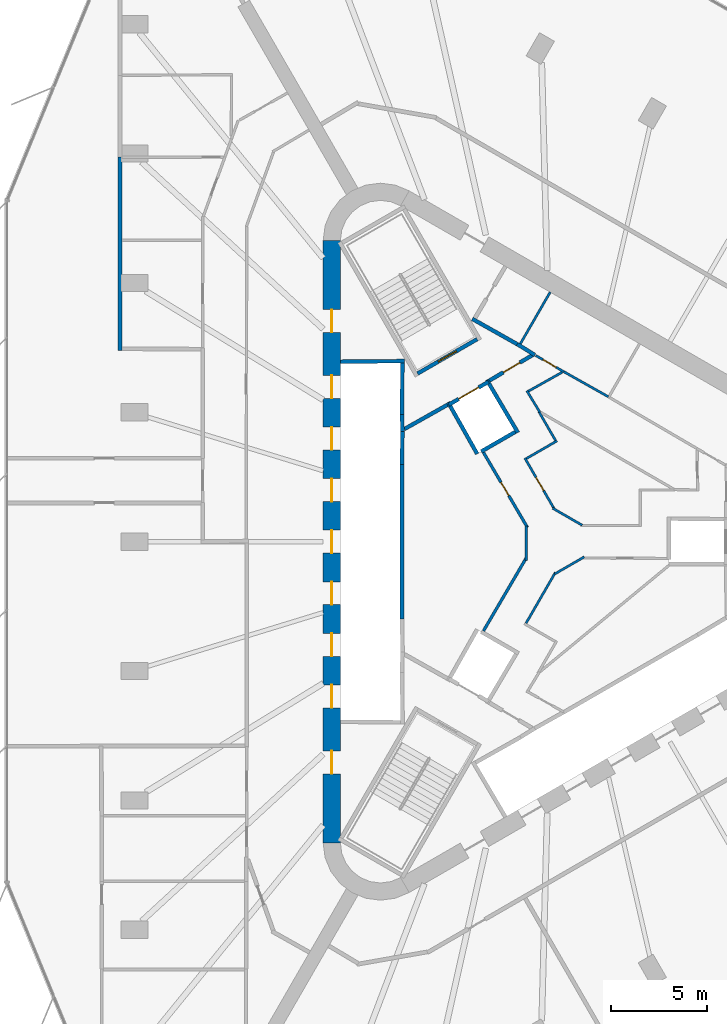
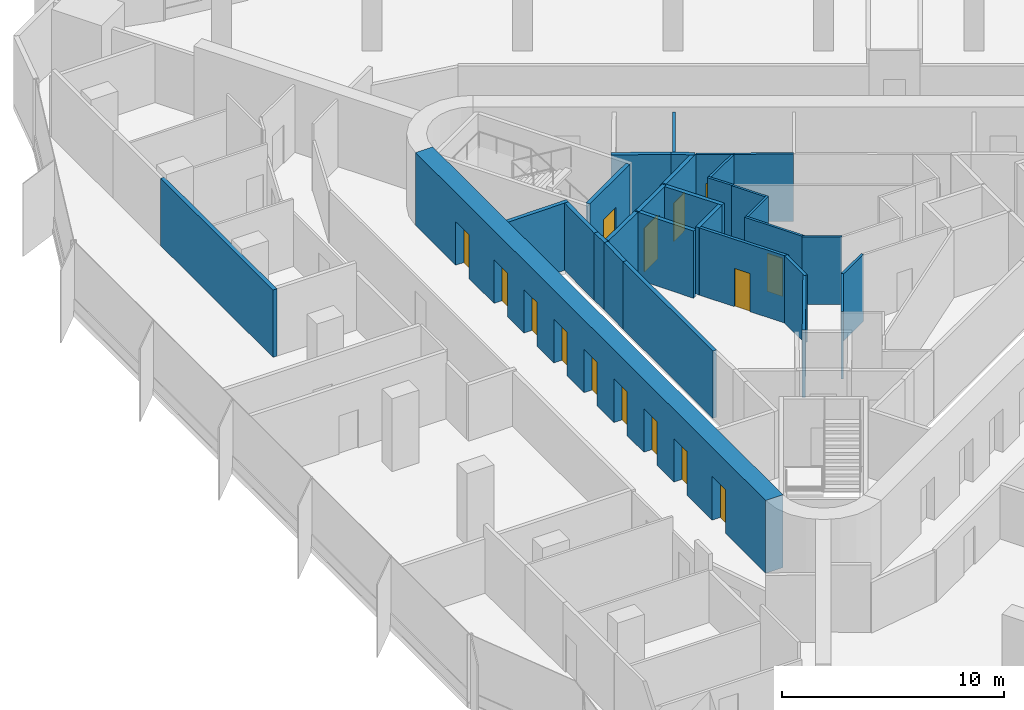
# One storey, part 10 of 14: 30 walls, 15 doors, 15 openings.
"""IFC4 building model written with IfcOpenShell, lengths in metres."""

from ifc_helpers import new_model, si_unit, direction, frame, frame_2d, origin, place, context, subcontext, project, spatial, rectangle, extrude, material, layer, layer_set, type_object, element, fill, save


model = new_model("IFC4")

# Units and contexts
model_context = context("Model", 3, precision=1e-05, world=origin(), true_north=direction((0.0, 1.0)))
body_context = subcontext(model_context, "Body", "Model", "MODEL_VIEW")
ifc_project = project(units=[si_unit("LENGTHUNIT", "METRE"), si_unit("AREAUNIT", "SQUARE_METRE"), si_unit("VOLUMEUNIT", "CUBIC_METRE"), si_unit("PLANEANGLEUNIT", "RADIAN"), si_unit("MASSUNIT", "GRAM", prefix="KILO")], contexts=[model_context])

# Site, building, storey
site_placement = place(None, origin())
site = spatial("IfcSite", under=ifc_project, at=site_placement, CompositionType="ELEMENT")
building_placement = place(site_placement, origin())
building = spatial("IfcBuilding", under=site, at=building_placement, Name="Tanit Gate Tower", CompositionType="ELEMENT")
storey_placement = place(building_placement, frame((0.0, 0.0, 229.199951171875)))
storey = spatial("IfcBuildingStorey", under=building, at=storey_placement, Name="L51", CompositionType="ELEMENT", Elevation=229.199951171875)

# Wall, openings, doors
ifc_material_1 = material(Name="Concrete C50/60", Category="concrete")
ifc_layer_1 = layer(ifc_material_1, 0.89990234375)
ifc_layer_set_1 = layer_set([ifc_layer_1], Name="CORE WALL 900 C50/60")
wall_type_1 = type_object("IfcWallType", Name="CORE WALL 900 C50/60", PredefinedType="SHEAR", material=ifc_layer_set_1)
wall_1_placement = place(storey_placement, frame((-11.64990234375, 15.76171875, 0.0), z_axis=(0.0, 0.0, 1.0), x_axis=(0.0, -1.0, 0.0)))
wall_1 = element("IfcWall", 1, at=wall_1_placement, inside=storey, type_object=wall_type_1, Name="CORE WALL", PredefinedType="SHEAR", context=body_context, shape_type="SweptSolid", body=[
    extrude(rectangle(XDim=31.5234375, YDim=0.89990234375, at=frame_2d((15.76171875, 0.0))), origin(), (0.0, 0.0, 1.0), 4.0),
])
opening_1_placement = place(wall_1_placement, frame((7.061767578125, 0.0, 0.0)))
opening_1 = element("IfcOpeningElement", 2, at=opening_1_placement, cuts=wall_1, Name="Opening LDML1-S14", PredefinedType="OPENING", context=body_context, shape_type="SweptSolid", body=[
    extrude(rectangle(XDim=1.199951171875, YDim=2.39990234375, at=frame_2d((0.60009765625, 1.199951171875))), frame((0.0, 0.4599609375, 0.0), z_axis=(0.0, -1.0, 0.0), x_axis=(1.0, 0.0, 0.0)), (0.0, 0.0, 1.0), 0.919921875),
])
opening_2_placement = place(wall_1_placement, frame((9.76171875, 0.0, 0.0)))
opening_2 = element("IfcOpeningElement", 3, at=opening_2_placement, cuts=wall_1, Name="Opening LDML2-S14", PredefinedType="OPENING", context=body_context, shape_type="SweptSolid", body=[
    extrude(rectangle(XDim=1.199951171875, YDim=2.39990234375, at=frame_2d((0.60009765625, 1.199951171875))), frame((0.0, 0.4599609375, 0.0), z_axis=(0.0, -1.0, 0.0), x_axis=(1.0, 0.0, 0.0)), (0.0, 0.0, 1.0), 0.919921875),
])
opening_3_placement = place(wall_1_placement, frame((12.461669921875, 0.0, 0.0)))
opening_3 = element("IfcOpeningElement", 4, at=opening_3_placement, cuts=wall_1, Name="Opening LDML3-S14", PredefinedType="OPENING", context=body_context, shape_type="SweptSolid", body=[
    extrude(rectangle(XDim=1.199951171875, YDim=2.39990234375, at=frame_2d((0.60009765625, 1.199951171875))), frame((0.0, 0.4599609375, 0.0), z_axis=(0.0, -1.0, 0.0), x_axis=(1.0, 0.0, 0.0)), (0.0, 0.0, 1.0), 0.919921875),
])
opening_4_placement = place(wall_1_placement, frame((15.16162109375, 0.0, 0.0)))
opening_4 = element("IfcOpeningElement", 5, at=opening_4_placement, cuts=wall_1, Name="Opening LDML4-S14", PredefinedType="OPENING", context=body_context, shape_type="SweptSolid", body=[
    extrude(rectangle(XDim=1.199951171875, YDim=2.39990234375, at=frame_2d((0.60009765625, 1.199951171875))), frame((0.0, 0.4599609375, 0.0), z_axis=(0.0, -1.0, 0.0), x_axis=(1.0, 0.0, 0.0)), (0.0, 0.0, 1.0), 0.919921875),
])
opening_5_placement = place(wall_1_placement, frame((17.86181640625, 0.0, 0.0)))
opening_5 = element("IfcOpeningElement", 6, at=opening_5_placement, cuts=wall_1, Name="Opening LDML5-S14", PredefinedType="OPENING", context=body_context, shape_type="SweptSolid", body=[
    extrude(rectangle(XDim=1.199951171875, YDim=2.39990234375, at=frame_2d((0.60009765625, 1.199951171875))), frame((0.0, 0.4599609375, 0.0), z_axis=(0.0, -1.0, 0.0), x_axis=(1.0, 0.0, 0.0)), (0.0, 0.0, 1.0), 0.919921875),
])
opening_6_placement = place(wall_1_placement, frame((20.561767578125, 0.0, 0.0)))
opening_6 = element("IfcOpeningElement", 7, at=opening_6_placement, cuts=wall_1, Name="Opening LDML6-S14", PredefinedType="OPENING", context=body_context, shape_type="SweptSolid", body=[
    extrude(rectangle(XDim=1.199951171875, YDim=2.39990234375, at=frame_2d((0.60009765625, 1.199951171875))), frame((0.0, 0.4599609375, 0.0), z_axis=(0.0, -1.0, 0.0), x_axis=(1.0, 0.0, 0.0)), (0.0, 0.0, 1.0), 0.919921875),
])
opening_7_placement = place(wall_1_placement, frame((23.26171875, 0.0, 0.0)))
opening_7 = element("IfcOpeningElement", 8, at=opening_7_placement, cuts=wall_1, Name="Opening LDML7-S14", PredefinedType="OPENING", context=body_context, shape_type="SweptSolid", body=[
    extrude(rectangle(XDim=1.199951171875, YDim=2.39990234375, at=frame_2d((0.60009765625, 1.199951171875))), frame((0.0, 0.4599609375, 0.0), z_axis=(0.0, -1.0, 0.0), x_axis=(1.0, 0.0, 0.0)), (0.0, 0.0, 1.0), 0.919921875),
])
opening_8_placement = place(wall_1_placement, frame((3.61181640625, 0.0, 0.0)))
opening_8 = element("IfcOpeningElement", 9, at=opening_8_placement, cuts=wall_1, Name="Opening F12-S14-FL2", PredefinedType="OPENING", context=body_context, shape_type="SweptSolid", body=[
    extrude(rectangle(XDim=1.199951171875, YDim=2.39990234375, at=frame_2d((0.60009765625, 1.199951171875))), frame((0.0, 0.4599609375, 0.0), z_axis=(0.0, -1.0, 0.0), x_axis=(1.0, 0.0, 0.0)), (0.0, 0.0, 1.0), 0.919921875),
])
opening_9_placement = place(wall_1_placement, frame((26.711669921875, 0.0, 0.0)))
opening_9 = element("IfcOpeningElement", 10, at=opening_9_placement, cuts=wall_1, Name="Opening F12-S14-S3", PredefinedType="OPENING", context=body_context, shape_type="SweptSolid", body=[
    extrude(rectangle(XDim=1.199951171875, YDim=2.39990234375, at=frame_2d((0.60009765625, 1.199951171875))), frame((0.0, 0.4599609375, 0.0), z_axis=(0.0, -1.0, 0.0), x_axis=(1.0, 0.0, 0.0)), (0.0, 0.0, 1.0), 0.919921875),
])
ifc_material_2 = material(Name="Fire-rated steel door leaf", Category="steel")
door_type_1 = type_object("IfcDoorType", Name="INT-DOOR-FIRE-LOBBY-1200", OperationType="NOTDEFINED", PredefinedType="USERDEFINED", material=ifc_material_2)
door_1_placement = place(opening_8_placement, origin())
door_1 = element("IfcDoor", 11, at=door_1_placement, inside=storey, type_object=door_type_1, Name="Door F12-S14-FL2", ObjectType="FIRE DOOR", OperationType="SINGLE_SWING_RIGHT", OverallHeight=2.39990234375, OverallWidth=1.199951171875, PredefinedType="USERDEFINED", context=body_context, shape_type="SweptSolid", body=[
    extrude(rectangle(XDim=1.199951171875, YDim=2.39990234375, at=frame_2d((0.60009765625, 1.199951171875))), frame((0.0, 0.02490234375, 0.0), z_axis=(0.0, -1.0, 0.0), x_axis=(1.0, 0.0, 0.0)), (0.0, 0.0, 1.0), 0.050048828125),
])
fill(opening_8, door_1)
door_2_placement = place(opening_9_placement, origin())
door_2 = element("IfcDoor", 12, at=door_2_placement, inside=storey, type_object=door_type_1, Name="Door F12-S14-S3", ObjectType="FIRE DOOR", OperationType="SINGLE_SWING_RIGHT", OverallHeight=2.39990234375, OverallWidth=1.199951171875, PredefinedType="USERDEFINED", context=body_context, shape_type="SweptSolid", body=[
    extrude(rectangle(XDim=1.199951171875, YDim=2.39990234375, at=frame_2d((0.60009765625, 1.199951171875))), frame((0.0, 0.02490234375, 0.0), z_axis=(0.0, -1.0, 0.0), x_axis=(1.0, 0.0, 0.0)), (0.0, 0.0, 1.0), 0.050048828125),
])
fill(opening_9, door_2)
ifc_material_3 = material(Name="Stainless steel sliding door leaf", Category="steel")
door_type_2 = type_object("IfcDoorType", Name="INT-DOOR-LANDING-1200", OperationType="NOTDEFINED", PredefinedType="USERDEFINED", material=ifc_material_3)
door_3_placement = place(opening_1_placement, origin())
door_3 = element("IfcDoor", 13, at=door_3_placement, inside=storey, type_object=door_type_2, Name="Door LDML1-S14", ObjectType="LANDING DOOR", OperationType="SLIDING_TO_LEFT", OverallHeight=2.39990234375, OverallWidth=1.199951171875, PredefinedType="USERDEFINED", context=body_context, shape_type="SweptSolid", body=[
    extrude(rectangle(XDim=1.199951171875, YDim=2.39990234375, at=frame_2d((0.60009765625, 1.199951171875))), frame((0.0, 0.02490234375, 0.0), z_axis=(0.0, -1.0, 0.0), x_axis=(1.0, 0.0, 0.0)), (0.0, 0.0, 1.0), 0.050048828125),
])
fill(opening_1, door_3)
door_4_placement = place(opening_2_placement, origin())
door_4 = element("IfcDoor", 14, at=door_4_placement, inside=storey, type_object=door_type_2, Name="Door LDML2-S14", ObjectType="LANDING DOOR", OperationType="SLIDING_TO_LEFT", OverallHeight=2.39990234375, OverallWidth=1.199951171875, PredefinedType="USERDEFINED", context=body_context, shape_type="SweptSolid", body=[
    extrude(rectangle(XDim=1.199951171875, YDim=2.39990234375, at=frame_2d((0.60009765625, 1.199951171875))), frame((0.0, 0.02490234375, 0.0), z_axis=(0.0, -1.0, 0.0), x_axis=(1.0, 0.0, 0.0)), (0.0, 0.0, 1.0), 0.050048828125),
])
fill(opening_2, door_4)
door_5_placement = place(opening_3_placement, origin())
door_5 = element("IfcDoor", 15, at=door_5_placement, inside=storey, type_object=door_type_2, Name="Door LDML3-S14", ObjectType="LANDING DOOR", OperationType="SLIDING_TO_LEFT", OverallHeight=2.39990234375, OverallWidth=1.199951171875, PredefinedType="USERDEFINED", context=body_context, shape_type="SweptSolid", body=[
    extrude(rectangle(XDim=1.199951171875, YDim=2.39990234375, at=frame_2d((0.60009765625, 1.199951171875))), frame((0.0, 0.02490234375, 0.0), z_axis=(0.0, -1.0, 0.0), x_axis=(1.0, 0.0, 0.0)), (0.0, 0.0, 1.0), 0.050048828125),
])
fill(opening_3, door_5)
door_6_placement = place(opening_4_placement, origin())
door_6 = element("IfcDoor", 16, at=door_6_placement, inside=storey, type_object=door_type_2, Name="Door LDML4-S14", ObjectType="LANDING DOOR", OperationType="SLIDING_TO_LEFT", OverallHeight=2.39990234375, OverallWidth=1.199951171875, PredefinedType="USERDEFINED", context=body_context, shape_type="SweptSolid", body=[
    extrude(rectangle(XDim=1.199951171875, YDim=2.39990234375, at=frame_2d((0.60009765625, 1.199951171875))), frame((0.0, 0.02490234375, 0.0), z_axis=(0.0, -1.0, 0.0), x_axis=(1.0, 0.0, 0.0)), (0.0, 0.0, 1.0), 0.050048828125),
])
fill(opening_4, door_6)
door_7_placement = place(opening_5_placement, origin())
door_7 = element("IfcDoor", 17, at=door_7_placement, inside=storey, type_object=door_type_2, Name="Door LDML5-S14", ObjectType="LANDING DOOR", OperationType="SLIDING_TO_LEFT", OverallHeight=2.39990234375, OverallWidth=1.199951171875, PredefinedType="USERDEFINED", context=body_context, shape_type="SweptSolid", body=[
    extrude(rectangle(XDim=1.199951171875, YDim=2.39990234375, at=frame_2d((0.60009765625, 1.199951171875))), frame((0.0, 0.02490234375, 0.0), z_axis=(0.0, -1.0, 0.0), x_axis=(1.0, 0.0, 0.0)), (0.0, 0.0, 1.0), 0.050048828125),
])
fill(opening_5, door_7)
door_8_placement = place(opening_6_placement, origin())
door_8 = element("IfcDoor", 18, at=door_8_placement, inside=storey, type_object=door_type_2, Name="Door LDML6-S14", ObjectType="LANDING DOOR", OperationType="SLIDING_TO_LEFT", OverallHeight=2.39990234375, OverallWidth=1.199951171875, PredefinedType="USERDEFINED", context=body_context, shape_type="SweptSolid", body=[
    extrude(rectangle(XDim=1.199951171875, YDim=2.39990234375, at=frame_2d((0.60009765625, 1.199951171875))), frame((0.0, 0.02490234375, 0.0), z_axis=(0.0, -1.0, 0.0), x_axis=(1.0, 0.0, 0.0)), (0.0, 0.0, 1.0), 0.050048828125),
])
fill(opening_6, door_8)
door_9_placement = place(opening_7_placement, origin())
door_9 = element("IfcDoor", 19, at=door_9_placement, inside=storey, type_object=door_type_2, Name="Door LDML7-S14", ObjectType="LANDING DOOR", OperationType="SLIDING_TO_LEFT", OverallHeight=2.39990234375, OverallWidth=1.199951171875, PredefinedType="USERDEFINED", context=body_context, shape_type="SweptSolid", body=[
    extrude(rectangle(XDim=1.199951171875, YDim=2.39990234375, at=frame_2d((0.60009765625, 1.199951171875))), frame((0.0, 0.02490234375, 0.0), z_axis=(0.0, -1.0, 0.0), x_axis=(1.0, 0.0, 0.0)), (0.0, 0.0, 1.0), 0.050048828125),
])
fill(opening_7, door_9)

# Walls
ifc_material_4 = material(Name="Fire-rated gypsum board partition")
ifc_layer_2 = layer(ifc_material_4, 0.199951171875)
ifc_layer_set_2 = layer_set([ifc_layer_2], Name="INT-WALL-COMPARTMENT")
wall_type_2 = type_object("IfcWallType", Name="INT-WALL-COMPARTMENT", PredefinedType="PARTITIONING", material=ifc_layer_set_2)
wall_2_placement = place(storey_placement, frame((-1.940673828125, 10.338623046875, 0.0), z_axis=(0.0, 0.0, 1.0), x_axis=(0.850216889117, -0.526432561171, 0.0)))
element("IfcWall", 20, at=wall_2_placement, inside=storey, type_object=wall_type_2, Name="Wall Compartment W054", PredefinedType="PARTITIONING", context=body_context, shape_type="SweptSolid", body=[
    extrude(rectangle(XDim=1.078369140625, YDim=0.199951171875, at=frame_2d((0.5390625, 0.0))), origin(), (0.0, 0.0, 1.0), 3.699951171875),
])
wall_3_placement = place(storey_placement, frame((-4.296142578125, 11.658935546875, 0.0), z_axis=(0.0, 0.0, 1.0), x_axis=(0.871534483978, -0.490334215854, 0.0)))
element("IfcWall", 21, at=wall_3_placement, inside=storey, type_object=wall_type_2, Name="Wall Compartment W057", PredefinedType="PARTITIONING", context=body_context, shape_type="SweptSolid", body=[
    extrude(rectangle(XDim=2.7001953125, YDim=0.199951171875, at=frame_2d((1.35009765625, 0.0))), origin(), (0.0, 0.0, 1.0), 3.699951171875),
])
wall_4_placement = place(storey_placement, frame((-5.600341796875, 7.16015625, 0.0), z_axis=(0.0, 0.0, 1.0), x_axis=(-0.871340486379, -0.490678873396, 0.0)))
element("IfcWall", 22, at=wall_4_placement, inside=storey, type_object=wall_type_2, Name="Wall Compartment W063", PredefinedType="PARTITIONING", context=body_context, shape_type="SweptSolid", body=[
    extrude(rectangle(XDim=2.580810546875, YDim=0.199951171875, at=frame_2d((1.29052734375, 0.0))), origin(), (0.0, 0.0, 1.0), 3.699951171875),
])

# Wall, opening, door
wall_5_placement = place(storey_placement, frame((-1.069091796875, 9.809814453125, 0.0), z_axis=(0.0, 0.0, 1.0), x_axis=(-0.860617791406, -0.509251428192, 0.0)))
wall_5 = element("IfcWall", 23, at=wall_5_placement, inside=storey, type_object=wall_type_2, Name="Wall Compartment W064", PredefinedType="PARTITIONING", context=body_context, shape_type="SweptSolid", body=[
    extrude(rectangle(XDim=2.709228515625, YDim=0.199951171875, at=frame_2d((1.3544921875, 0.0))), origin(), (0.0, 0.0, 1.0), 3.699951171875),
])
opening_10_placement = place(wall_5_placement, frame((0.86083984375, 0.0, 0.0)))
opening_10 = element("IfcOpeningElement", 24, at=opening_10_placement, cuts=wall_5, Name="Opening F10-S14-05", PredefinedType="OPENING", context=body_context, shape_type="SweptSolid", body=[
    extrude(rectangle(XDim=1.0, YDim=2.10009765625, at=frame_2d((0.5, 1.050048828125))), frame((0.0, 0.10986328125, 0.0), z_axis=(0.0, -1.0, 0.0), x_axis=(1.0, 0.0, 0.0)), (0.0, 0.0, 1.0), 0.219970703125),
])
ifc_material_5 = material(Name="Fire-rated steel door leaf", Category="steel")
door_type_3 = type_object("IfcDoorType", Name="INT-DOOR-FIRE-1000", OperationType="NOTDEFINED", PredefinedType="USERDEFINED", material=ifc_material_5)
door_10_placement = place(opening_10_placement, origin())
door_10 = element("IfcDoor", 25, at=door_10_placement, inside=storey, type_object=door_type_3, Name="Door F10-S14-05", ObjectType="FIRE DOOR", OperationType="SINGLE_SWING_RIGHT", OverallHeight=2.10009765625, OverallWidth=1.0, PredefinedType="USERDEFINED", context=body_context, shape_type="SweptSolid", body=[
    extrude(rectangle(XDim=1.0, YDim=2.10009765625, at=frame_2d((0.5, 1.050048828125))), frame((0.0, 0.02490234375, 0.0), z_axis=(0.0, -1.0, 0.0), x_axis=(1.0, 0.0, 0.0)), (0.0, 0.0, 1.0), 0.050048828125),
])
fill(opening_10, door_10)

# Wall
wall_6_placement = place(storey_placement, frame((-22.72998046875, 10.0, 0.0), z_axis=(0.0, 0.0, 1.0), x_axis=(0.0, 1.0, 0.0)))
element("IfcWall", 26, at=wall_6_placement, inside=storey, type_object=wall_type_2, Name="Wall Compartment W139", PredefinedType="PARTITIONING", context=body_context, shape_type="SweptSolid", body=[
    extrude(rectangle(XDim=10.124267578125, YDim=0.199951171875, at=frame_2d((5.06201171875, 0.0))), origin(), (0.0, 0.0, 1.0), 3.699951171875),
])

# Wall, opening, door
ifc_material_6 = material(Name="Gypsum board partition")
ifc_layer_3 = layer(ifc_material_6, 0.1201171875)
ifc_layer_set_3 = layer_set([ifc_layer_3], Name="INT-WALL-PARTITION")
wall_type_3 = type_object("IfcWallType", Name="INT-WALL-PARTITION", PredefinedType="PARTITIONING", material=ifc_layer_set_3)
wall_7_placement = place(storey_placement, frame((-0.980712890625, 9.74609375, 0.0), z_axis=(0.0, 0.0, 1.0), x_axis=(0.866027945518, -0.499995597562, 0.0)))
wall_7 = element("IfcWall", 27, at=wall_7_placement, inside=storey, type_object=wall_type_3, Name="Wall Partition W056", PredefinedType="PARTITIONING", context=body_context, shape_type="SweptSolid", body=[
    extrude(rectangle(XDim=1.7021484375, YDim=0.1201171875, at=frame_2d((0.85107421875, 0.0))), origin(), (0.0, 0.0, 1.0), 3.699951171875),
])
opening_11_placement = place(wall_7_placement, frame((0.440673828125, 0.0, 0.0)))
opening_11 = element("IfcOpeningElement", 28, at=opening_11_placement, cuts=wall_7, Name="Opening R08-S14-16", PredefinedType="OPENING", context=body_context, shape_type="SweptSolid", body=[
    extrude(rectangle(XDim=0.800048828125, YDim=2.10009765625, at=frame_2d((0.39990234375, 1.050048828125))), frame((0.0, 0.070068359375, 0.0), z_axis=(0.0, -1.0, 0.0), x_axis=(1.0, 0.0, 0.0)), (0.0, 0.0, 1.0), 0.14013671875),
])
ifc_material_7 = material(Name="Timber door leaf", Category="wood")
door_type_4 = type_object("IfcDoorType", Name="INT-DOOR-RISER-800", OperationType="NOTDEFINED", PredefinedType="USERDEFINED", material=ifc_material_7)
door_11_placement = place(opening_11_placement, origin())
door_11 = element("IfcDoor", 29, at=door_11_placement, inside=storey, type_object=door_type_4, Name="Door R08-S14-16", ObjectType="FIRE DOOR", OperationType="SINGLE_SWING_LEFT", OverallHeight=2.10009765625, OverallWidth=0.800048828125, PredefinedType="USERDEFINED", context=body_context, shape_type="SweptSolid", body=[
    extrude(rectangle(XDim=0.800048828125, YDim=2.10009765625, at=frame_2d((0.39990234375, 1.050048828125))), frame((0.0, 0.02490234375, 0.0), z_axis=(0.0, -1.0, 0.0), x_axis=(1.0, 0.0, 0.0)), (0.0, 0.0, 1.0), 0.050048828125),
])
fill(opening_11, door_11)

# Walls
wall_8_placement = place(storey_placement, frame((-0.2197265625, 13.0595703125, 0.0), z_axis=(0.0, 0.0, 1.0), x_axis=(-0.499984717929, -0.866034226713, 0.0)))
element("IfcWall", 30, at=wall_8_placement, inside=storey, type_object=wall_type_3, Name="Wall Partition W053", PredefinedType="PARTITIONING", context=body_context, shape_type="SweptSolid", body=[
    extrude(rectangle(XDim=3.25, YDim=0.1201171875, at=frame_2d((1.625, 0.0))), origin(), (0.0, 0.0, 1.0), 3.699951171875),
])
wall_9_placement = place(storey_placement, frame((2.82080078125, 7.5859375, 0.0), z_axis=(0.0, 0.0, 1.0), x_axis=(-0.871426548871, 0.490526013503, 0.0)))
element("IfcWall", 31, at=wall_9_placement, inside=storey, type_object=wall_type_3, Name="Wall Partition W055", PredefinedType="PARTITIONING", context=body_context, shape_type="SweptSolid", body=[
    extrude(rectangle(XDim=2.670166015625, YDim=0.1201171875, at=frame_2d((1.3349609375, 0.0))), origin(), (0.0, 0.0, 1.0), 3.699951171875),
])
wall_10_placement = place(storey_placement, frame((0.052001953125, -1.610107421875, 0.0), z_axis=(0.0, 0.0, 1.0), x_axis=(-0.500011413361, -0.866018814177, 0.0)))
element("IfcWall", 32, at=wall_10_placement, inside=storey, type_object=wall_type_3, Name="Wall Partition W075", PredefinedType="PARTITIONING", context=body_context, shape_type="SweptSolid", body=[
    extrude(rectangle(XDim=3.07177734375, YDim=0.1201171875, at=frame_2d((1.535888671875, 0.0))), origin(), (0.0, 0.0, 1.0), 3.699951171875),
])
wall_11_placement = place(storey_placement, frame((1.560791015625, -0.798828125, 0.0), z_axis=(0.0, 0.0, 1.0), x_axis=(-0.866019189511, -0.500010763282, 0.0)))
element("IfcWall", 33, at=wall_11_placement, inside=storey, type_object=wall_type_3, Name="Wall Partition W076", PredefinedType="PARTITIONING", context=body_context, shape_type="SweptSolid", body=[
    extrude(rectangle(XDim=1.78369140625, YDim=0.1201171875, at=frame_2d((0.891845703125, 0.0))), origin(), (0.0, 0.0, 1.0), 3.699951171875),
])
wall_12_placement = place(storey_placement, frame((-1.44287109375, 7.896484375, 0.0), z_axis=(0.0, 0.0, 1.0), x_axis=(0.520289543849, -0.853989924157, 0.0)))
element("IfcWall", 34, at=wall_12_placement, inside=storey, type_object=wall_type_3, Name="Wall Partition W079", PredefinedType="PARTITIONING", context=body_context, shape_type="SweptSolid", body=[
    extrude(rectangle(XDim=1.31103515625, YDim=0.1201171875, at=frame_2d((0.655517578125, 0.0))), origin(), (0.0, 0.0, 1.0), 3.699951171875),
])
wall_13_placement = place(storey_placement, frame((0.414306640625, 8.87109375, 0.0), z_axis=(0.0, 0.0, 1.0), x_axis=(-0.871809386997, -0.48984527429, 0.0)))
element("IfcWall", 35, at=wall_13_placement, inside=storey, type_object=wall_type_3, Name="Wall Partition W080", PredefinedType="PARTITIONING", context=body_context, shape_type="SweptSolid", body=[
    extrude(rectangle(XDim=2.034423828125, YDim=0.1201171875, at=frame_2d((1.01708984375, 0.0))), origin(), (0.0, 0.0, 1.0), 3.699951171875),
])
wall_14_placement = place(storey_placement, frame((-0.090087890625, 1.751953125, 0.0), z_axis=(0.0, 0.0, 1.0), x_axis=(0.866046676307, -0.4999631531, 0.0)))
element("IfcWall", 36, at=wall_14_placement, inside=storey, type_object=wall_type_3, Name="Wall Partition W086", PredefinedType="PARTITIONING", context=body_context, shape_type="SweptSolid", body=[
    extrude(rectangle(XDim=1.785400390625, YDim=0.1201171875, at=frame_2d((0.892578125, 0.0))), origin(), (0.0, 0.0, 1.0), 3.699951171875),
])

# Wall, opening, door
wall_15_placement = place(storey_placement, frame((-1.5439453125, 4.3740234375, 0.0), z_axis=(0.0, 0.0, 1.0), x_axis=(0.500023124857, -0.86601205223, 0.0)))
wall_15 = element("IfcWall", 37, at=wall_15_placement, inside=storey, type_object=wall_type_3, Name="Wall Partition W087", PredefinedType="PARTITIONING", context=body_context, shape_type="SweptSolid", body=[
    extrude(rectangle(XDim=3.069091796875, YDim=0.1201171875, at=frame_2d((1.53466796875, 0.0))), origin(), (0.0, 0.0, 1.0), 3.699951171875),
])
opening_12_placement = place(wall_15_placement, frame((1.16455078125, 0.0, 0.0)))
opening_12 = element("IfcOpeningElement", 38, at=opening_12_placement, cuts=wall_15, Name="Opening R08-S14-14", PredefinedType="OPENING", context=body_context, shape_type="SweptSolid", body=[
    extrude(rectangle(XDim=0.800048828125, YDim=2.10009765625, at=frame_2d((0.39990234375, 1.050048828125))), frame((0.0, 0.070068359375, 0.0), z_axis=(0.0, -1.0, 0.0), x_axis=(1.0, 0.0, 0.0)), (0.0, 0.0, 1.0), 0.14013671875),
])
door_12_placement = place(opening_12_placement, origin())
door_12 = element("IfcDoor", 39, at=door_12_placement, inside=storey, type_object=door_type_4, Name="Door R08-S14-14", ObjectType="FIRE DOOR", OperationType="SINGLE_SWING_RIGHT", OverallHeight=2.10009765625, OverallWidth=0.800048828125, PredefinedType="USERDEFINED", context=body_context, shape_type="SweptSolid", body=[
    extrude(rectangle(XDim=0.800048828125, YDim=2.10009765625, at=frame_2d((0.39990234375, 1.050048828125))), frame((0.0, 0.02490234375, 0.0), z_axis=(0.0, -1.0, 0.0), x_axis=(1.0, 0.0, 0.0)), (0.0, 0.0, 1.0), 0.050048828125),
])
fill(opening_12, door_12)

# Walls
wall_16_placement = place(storey_placement, frame((0.14013671875, 5.277099609375, 0.0), z_axis=(0.0, 0.0, 1.0), x_axis=(-0.866000971088, -0.500042316284, 0.0)))
element("IfcWall", 40, at=wall_16_placement, inside=storey, type_object=wall_type_3, Name="Wall Partition W088", PredefinedType="PARTITIONING", context=body_context, shape_type="SweptSolid", body=[
    extrude(rectangle(XDim=1.849853515625, YDim=0.1201171875, at=frame_2d((0.9248046875, 0.0))), origin(), (0.0, 0.0, 1.0), 3.699951171875),
])
wall_17_placement = place(storey_placement, frame((-0.81201171875, 6.806396484375, 0.0), z_axis=(0.0, 0.0, 1.0), x_axis=(0.500046227757, -0.865998712531, 0.0)))
element("IfcWall", 41, at=wall_17_placement, inside=storey, type_object=wall_type_3, Name="Wall Partition W089", PredefinedType="PARTITIONING", context=body_context, shape_type="SweptSolid", body=[
    extrude(rectangle(XDim=1.740478515625, YDim=0.1201171875, at=frame_2d((0.8701171875, 0.0))), origin(), (0.0, 0.0, 1.0), 3.699951171875),
])

# Wall, opening, door
ifc_material_8 = material(Name="Fire-rated gypsum board partition")
ifc_layer_4 = layer(ifc_material_8, 0.14990234375)
ifc_layer_set_4 = layer_set([ifc_layer_4], Name="INT-WALL-RISER")
wall_type_4 = type_object("IfcWallType", Name="INT-WALL-RISER", PredefinedType="PLUMBINGWALL", material=ifc_layer_set_4)
wall_18_placement = place(storey_placement, frame((-1.407470703125, 0.739501953125, 0.0), z_axis=(0.0, 0.0, 1.0), x_axis=(-0.505642484845, 0.862743112125, 0.0)))
wall_18 = element("IfcWall", 42, at=wall_18_placement, inside=storey, type_object=wall_type_4, Name="Wall Riser W067", PredefinedType="PLUMBINGWALL", context=body_context, shape_type="SweptSolid", body=[
    extrude(rectangle(XDim=4.555908203125, YDim=0.14990234375, at=frame_2d((2.27783203125, 0.0))), origin(), (0.0, 0.0, 1.0), 3.699951171875),
])
opening_13_placement = place(wall_18_placement, frame((1.94189453125, 0.0, 0.0)))
opening_13 = element("IfcOpeningElement", 43, at=opening_13_placement, cuts=wall_18, Name="Opening R08-S14-10", PredefinedType="OPENING", context=body_context, shape_type="SweptSolid", body=[
    extrude(rectangle(XDim=0.800048828125, YDim=2.10009765625, at=frame_2d((0.39990234375, 1.050048828125))), frame((0.0, 0.0849609375, 0.0), z_axis=(0.0, -1.0, 0.0), x_axis=(1.0, 0.0, 0.0)), (0.0, 0.0, 1.0), 0.169921875),
])
door_13_placement = place(opening_13_placement, origin())
door_13 = element("IfcDoor", 44, at=door_13_placement, inside=storey, type_object=door_type_4, Name="Door R08-S14-10", ObjectType="FIRE DOOR", OperationType="SINGLE_SWING_RIGHT", OverallHeight=2.10009765625, OverallWidth=0.800048828125, PredefinedType="USERDEFINED", context=body_context, shape_type="SweptSolid", body=[
    extrude(rectangle(XDim=0.800048828125, YDim=2.10009765625, at=frame_2d((0.39990234375, 1.050048828125))), frame((0.0, 0.02490234375, 0.0), z_axis=(0.0, -1.0, 0.0), x_axis=(1.0, 0.0, 0.0)), (0.0, 0.0, 1.0), 0.050048828125),
])
fill(opening_13, door_13)

# Walls
wall_19_placement = place(storey_placement, frame((-1.47216796875, -0.97802734375, 0.0), z_axis=(0.0, 0.0, 1.0), x_axis=(0.0, 1.0, 0.0)))
element("IfcWall", 45, at=wall_19_placement, inside=storey, type_object=wall_type_4, Name="Wall Riser W068", PredefinedType="PLUMBINGWALL", context=body_context, shape_type="SweptSolid", body=[
    extrude(rectangle(XDim=1.804443359375, YDim=0.14990234375, at=frame_2d((0.90234375, 0.0))), origin(), (0.0, 0.0, 1.0), 3.699951171875),
])
wall_20_placement = place(storey_placement, frame((-3.711181640625, -4.670166015625, 0.0), z_axis=(0.0, 0.0, 1.0), x_axis=(0.505648368764, 0.86273966361, 0.0)))
element("IfcWall", 46, at=wall_20_placement, inside=storey, type_object=wall_type_4, Name="Wall Riser W069", PredefinedType="PLUMBINGWALL", context=body_context, shape_type="SweptSolid", body=[
    extrude(rectangle(XDim=4.404296875, YDim=0.14990234375, at=frame_2d((2.2021484375, 0.0))), origin(), (0.0, 0.0, 1.0), 3.699951171875),
])
ifc_material_9 = material(Name="Gypsum shaft wall system")
ifc_layer_5 = layer(ifc_material_9, 0.199951171875)
ifc_layer_set_5 = layer_set([ifc_layer_5], Name="INT-WALL-SHAFT")
wall_type_5 = type_object("IfcWallType", Name="INT-WALL-SHAFT", PredefinedType="PLUMBINGWALL", material=ifc_layer_set_5)
wall_21_placement = place(storey_placement, frame((-11.199951171875, 9.419921875, 0.0), z_axis=(0.0, 0.0, 1.0), x_axis=(0.999957167047, 0.009255488683, 0.0)))
element("IfcWall", 47, at=wall_21_placement, inside=storey, type_object=wall_type_5, Name="Wall Shaft W001", PredefinedType="PLUMBINGWALL", context=body_context, shape_type="SweptSolid", body=[
    extrude(rectangle(XDim=3.35009765625, YDim=0.199951171875, at=frame_2d((1.675048828125, 0.0))), origin(), (0.0, 0.0, 1.0), 3.699951171875),
])
wall_22_placement = place(storey_placement, frame((-7.951171875, 9.35009765625, 0.0), z_axis=(0.0, 0.0, 1.0), x_axis=(-0.011120469654, -0.999938165666, 0.0)))
element("IfcWall", 48, at=wall_22_placement, inside=storey, type_object=wall_type_5, Name="Wall Shaft W002", PredefinedType="PLUMBINGWALL", context=body_context, shape_type="SweptSolid", body=[
    extrude(rectangle(XDim=2.700439453125, YDim=0.199951171875, at=frame_2d((1.35009765625, 0.0))), origin(), (0.0, 0.0, 1.0), 3.699951171875),
])
wall_23_placement = place(storey_placement, frame((-7.97705078125, 6.650146484375, 0.0), z_axis=(0.0, 0.0, 1.0), x_axis=(0.030861509705, -0.999523670164, 0.0)))
element("IfcWall", 49, at=wall_23_placement, inside=storey, type_object=wall_type_5, Name="Wall Shaft W003", PredefinedType="PLUMBINGWALL", context=body_context, shape_type="SweptSolid", body=[
    extrude(rectangle(XDim=0.878173828125, YDim=0.199951171875, at=frame_2d((0.43896484375, 0.0))), origin(), (0.0, 0.0, 1.0), 3.699951171875),
])
wall_24_placement = place(storey_placement, frame((-7.948974609375, 5.894287109375, 0.0), z_axis=(0.0, 0.0, 1.0), x_axis=(-0.016809909365, -0.999858703491, 0.0)))
element("IfcWall", 50, at=wall_24_placement, inside=storey, type_object=wall_type_5, Name="Wall Shaft W004", PredefinedType="PLUMBINGWALL", context=body_context, shape_type="SweptSolid", body=[
    extrude(rectangle(XDim=1.844482421875, YDim=0.199951171875, at=frame_2d((0.92236328125, 0.0))), origin(), (0.0, 0.0, 1.0), 3.699951171875),
])
wall_25_placement = place(storey_placement, frame((-7.97998046875, 4.050048828125, 0.0), z_axis=(0.0, 0.0, 1.0), x_axis=(0.0, -1.0, 0.0)))
element("IfcWall", 51, at=wall_25_placement, inside=storey, type_object=wall_type_5, Name="Wall Shaft W005", PredefinedType="PLUMBINGWALL", context=body_context, shape_type="SweptSolid", body=[
    extrude(rectangle(XDim=8.10009765625, YDim=0.199951171875, at=frame_2d((4.050048828125, 0.0))), origin(), (0.0, 0.0, 1.0), 3.699951171875),
])

# Wall, opening, door
wall_26_placement = place(storey_placement, frame((-5.524169921875, 7.168212890625, 0.0), z_axis=(0.0, 0.0, 1.0), x_axis=(0.866024647952, 0.500001309137, 0.0)))
wall_26 = element("IfcWall", 52, at=wall_26_placement, inside=storey, type_object=wall_type_5, Name="Wall Shaft W037", PredefinedType="PLUMBINGWALL", context=body_context, shape_type="SweptSolid", body=[
    extrude(rectangle(XDim=2.39990234375, YDim=0.199951171875, at=frame_2d((1.199951171875, 0.0))), origin(), (0.0, 0.0, 1.0), 3.699951171875),
])
opening_14_placement = place(wall_26_placement, frame((0.60009765625, 0.0, 0.0)))
opening_14 = element("IfcOpeningElement", 53, at=opening_14_placement, cuts=wall_26, Name="Opening LDFL2-L51", PredefinedType="OPENING", context=body_context, shape_type="SweptSolid", body=[
    extrude(rectangle(XDim=1.199951171875, YDim=2.39990234375, at=frame_2d((0.60009765625, 1.199951171875))), frame((0.0, 0.10986328125, 0.0), z_axis=(0.0, -1.0, 0.0), x_axis=(1.0, 0.0, 0.0)), (0.0, 0.0, 1.0), 0.219970703125),
])
door_14_placement = place(opening_14_placement, origin())
door_14 = element("IfcDoor", 54, at=door_14_placement, inside=storey, type_object=door_type_2, Name="Door LDFL2-L51", ObjectType="LANDING DOOR", OperationType="SLIDING_TO_LEFT", OverallHeight=2.39990234375, OverallWidth=1.199951171875, PredefinedType="USERDEFINED", context=body_context, shape_type="SweptSolid", body=[
    extrude(rectangle(XDim=1.199951171875, YDim=2.39990234375, at=frame_2d((0.60009765625, 1.199951171875))), frame((0.0, 0.02490234375, 0.0), z_axis=(0.0, -1.0, 0.0), x_axis=(1.0, 0.0, 0.0)), (0.0, 0.0, 1.0), 0.050048828125),
])
fill(opening_14, door_14)

# Walls
wall_27_placement = place(storey_placement, frame((-4.039306640625, 4.59619140625, 0.0), z_axis=(0.0, 0.0, 1.0), x_axis=(-0.491322718731, 0.870977603649, 0.0)))
element("IfcWall", 55, at=wall_27_placement, inside=storey, type_object=wall_type_5, Name="Wall Shaft W038", PredefinedType="PLUMBINGWALL", context=body_context, shape_type="SweptSolid", body=[
    extrude(rectangle(XDim=3.10009765625, YDim=0.199951171875, at=frame_2d((1.550048828125, 0.0))), origin(), (0.0, 0.0, 1.0), 3.699951171875),
])
wall_28_placement = place(storey_placement, frame((-3.53759765625, 8.46533203125, 0.0), z_axis=(0.0, 0.0, 1.0), x_axis=(0.508616218331, -0.860993346345, 0.0)))
element("IfcWall", 56, at=wall_28_placement, inside=storey, type_object=wall_type_5, Name="Wall Shaft W039", PredefinedType="PLUMBINGWALL", context=body_context, shape_type="SweptSolid", body=[
    extrude(rectangle(XDim=3.2001953125, YDim=0.199951171875, at=frame_2d((1.60009765625, 0.0))), origin(), (0.0, 0.0, 1.0), 3.699951171875),
])
wall_29_placement = place(storey_placement, frame((-2.04736328125, 5.74609375, 0.0), z_axis=(0.0, 0.0, 1.0), x_axis=(-0.86606290101, -0.499935047276, 0.0)))
element("IfcWall", 57, at=wall_29_placement, inside=storey, type_object=wall_type_5, Name="Wall Shaft W040", PredefinedType="PLUMBINGWALL", context=body_context, shape_type="SweptSolid", body=[
    extrude(rectangle(XDim=2.054443359375, YDim=0.199951171875, at=frame_2d((1.02734375, 0.0))), origin(), (0.0, 0.0, 1.0), 3.699951171875),
])

# Wall, opening, door
ifc_material_10 = material(Name="Concrete C40/50", Category="concrete")
ifc_layer_6 = layer(ifc_material_10, 0.199951171875)
ifc_layer_set_6 = layer_set([ifc_layer_6], Name="INT-WALL-STAIR")
wall_type_6 = type_object("IfcWallType", Name="INT-WALL-STAIR", PredefinedType="SHEAR", material=ifc_layer_set_6)
wall_30_placement = place(storey_placement, frame((-7.158935546875, 8.799560546875, -0.300048828125), z_axis=(0.0, 0.0, 1.0), x_axis=(0.866047807691, 0.499961193289, 0.0)))
wall_30 = element("IfcWall", 58, at=wall_30_placement, inside=storey, type_object=wall_type_6, Name="Wall Stair W036", PredefinedType="SHEAR", context=body_context, shape_type="SweptSolid", body=[
    extrude(rectangle(XDim=3.599853515625, YDim=0.199951171875, at=frame_2d((1.7998046875, 0.0))), origin(), (0.0, 0.0, 1.0), 4.0),
])
opening_15_placement = place(wall_30_placement, frame((1.25, 0.0, 0.300048828125)))
opening_15 = element("IfcOpeningElement", 59, at=opening_15_placement, cuts=wall_30, Name="Opening S11-S14-04", PredefinedType="OPENING", context=body_context, shape_type="SweptSolid", body=[
    extrude(rectangle(XDim=1.10009765625, YDim=2.10009765625, at=frame_2d((0.550048828125, 1.050048828125))), frame((0.0, 0.10986328125, 0.0), z_axis=(0.0, -1.0, 0.0), x_axis=(1.0, 0.0, 0.0)), (0.0, 0.0, 1.0), 0.219970703125),
])
ifc_material_11 = material(Name="Timber door leaf", Category="wood")
door_type_5 = type_object("IfcDoorType", Name="INT-DOOR-STAIR-1100", OperationType="NOTDEFINED", PredefinedType="USERDEFINED", material=ifc_material_11)
door_15_placement = place(opening_15_placement, origin())
door_15 = element("IfcDoor", 60, at=door_15_placement, inside=storey, type_object=door_type_5, Name="Door S11-S14-04", ObjectType="FIRE DOOR", OperationType="SINGLE_SWING_LEFT", OverallHeight=2.10009765625, OverallWidth=1.10009765625, PredefinedType="USERDEFINED", context=body_context, shape_type="SweptSolid", body=[
    extrude(rectangle(XDim=1.10009765625, YDim=2.10009765625, at=frame_2d((0.550048828125, 1.050048828125))), frame((0.0, 0.02490234375, 0.0), z_axis=(0.0, -1.0, 0.0), x_axis=(1.0, 0.0, 0.0)), (0.0, 0.0, 1.0), 0.050048828125),
])
fill(opening_15, door_15)

save(model, "model.ifc")
